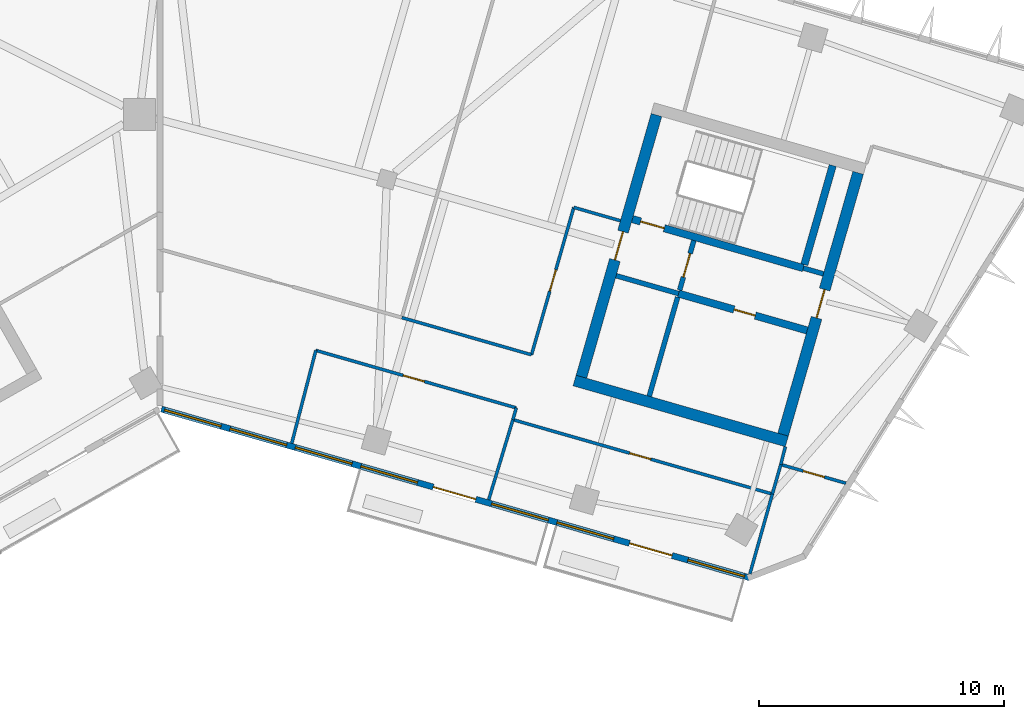
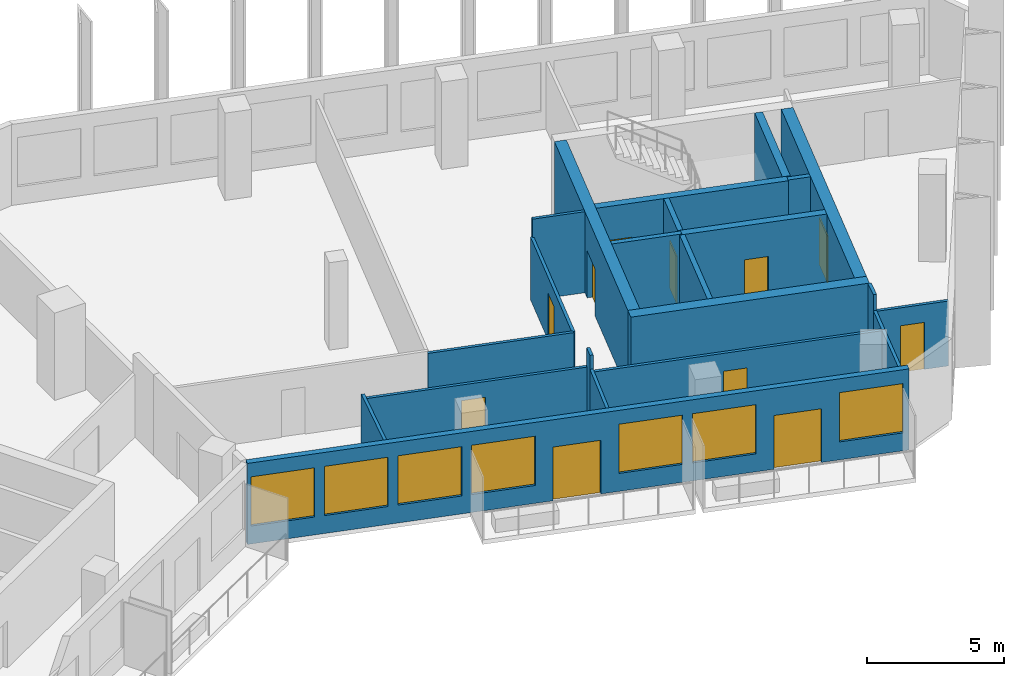
# One storey, part 7 of 12: 23 walls, 11 doors, 7 windows, 18 openings.
"""IFC4 building model written with IfcOpenShell, lengths in metres."""

from ifc_helpers import new_model, si_unit, direction, frame, frame_2d, origin, place, context, subcontext, project, spatial, rectangle, extrude, material, layer, layer_set, type_object, element, fill, save


model = new_model("IFC4")

# Units and contexts
model_context = context("Model", 3, precision=1e-05, world=origin(), true_north=direction((0.0, 1.0)))
body_context = subcontext(model_context, "Body", "Model", "MODEL_VIEW")
ifc_project = project(units=[si_unit("LENGTHUNIT", "METRE"), si_unit("AREAUNIT", "SQUARE_METRE"), si_unit("VOLUMEUNIT", "CUBIC_METRE"), si_unit("PLANEANGLEUNIT", "RADIAN"), si_unit("MASSUNIT", "GRAM", prefix="KILO")], contexts=[model_context])

# Site, building, storey
site_placement = place(None, origin())
site = spatial("IfcSite", under=ifc_project, at=site_placement, CompositionType="ELEMENT")
building_placement = place(site_placement, origin())
building = spatial("IfcBuilding", under=site, at=building_placement, Name="Binnacle Exchange Tower", CompositionType="ELEMENT")
storey_placement = place(building_placement, frame((0.0, 0.0, 246.5)))
storey = spatial("IfcBuildingStorey", under=building, at=storey_placement, Name="L54", CompositionType="ELEMENT", Elevation=246.5)

# Wall, opening, door
ifc_material_1 = material(Name="Concrete C70/85", Category="concrete")
ifc_layer_1 = layer(ifc_material_1, 0.300048828125)
ifc_layer_set_1 = layer_set([ifc_layer_1], Name="Core wall - front 300")
wall_type_1 = type_object("IfcWallType", Name="Core wall - front 300", PredefinedType="SOLIDWALL", material=ifc_layer_set_1)
wall_1_placement = place(storey_placement, frame((21.130859375, 52.6923828125, 0.0), z_axis=(0.0, 0.0, 1.0), x_axis=(0.961261488075, -0.275638080722, 0.0)))
wall_1 = element("IfcWall", 1, at=wall_1_placement, inside=storey, type_object=wall_type_1, Name="Core wall CRWD3", PredefinedType="SOLIDWALL", context=body_context, shape_type="SweptSolid", body=[
    extrude(rectangle(XDim=5.449951171875, YDim=0.300048828125, at=frame_2d((2.72509765625, 0.0))), origin(), (0.0, 0.0, 1.0), 3.6201171875),
])
opening_1_placement = place(wall_1_placement, frame((2.35009765625, 0.0, 0.0)))
opening_1 = element("IfcOpeningElement", 2, at=opening_1_placement, cuts=wall_1, Name="Opening DD10", PredefinedType="OPENING", context=body_context, shape_type="SweptSolid", body=[
    extrude(rectangle(XDim=0.89990234375, YDim=2.10009765625, at=frame_2d((0.449951171875, 1.050048828125))), frame((0.0, 0.159912109375, 0.0), z_axis=(0.0, -1.0, 0.0), x_axis=(1.0, 0.0, 0.0)), (0.0, 0.0, 1.0), 0.320068359375),
])
ifc_material_2 = material(Name="Steel door leaf", Category="steel")
door_type_1 = type_object("IfcDoorType", Name="Fire door 900", OperationType="NOTDEFINED", PredefinedType="DOOR", material=ifc_material_2)
door_1_placement = place(opening_1_placement, frame((0.89990234375, 0.0, 0.0), z_axis=(0.0, 0.0, 1.0), x_axis=(-1.0, 0.0, 0.0)))
door_1 = element("IfcDoor", 3, at=door_1_placement, inside=storey, type_object=door_type_1, Name="Core room door TELECOM RISER ROOM", OperationType="SINGLE_SWING_LEFT", OverallHeight=2.10009765625, OverallWidth=0.89990234375, PredefinedType="DOOR", context=body_context, shape_type="SweptSolid", body=[
    extrude(rectangle(XDim=0.89990234375, YDim=2.10009765625, at=frame_2d((0.449951171875, 1.050048828125))), frame((0.0, 0.02490234375, 0.0), z_axis=(0.0, -1.0, 0.0), x_axis=(1.0, 0.0, 0.0)), (0.0, 0.0, 1.0), 0.050048828125),
])
fill(opening_1, door_1)

# Wall
ifc_layer_2 = layer(ifc_material_1, 0.449951171875)
ifc_layer_set_2 = layer_set([ifc_layer_2], Name="Core wall - outer 450")
wall_type_2 = type_object("IfcWallType", Name="Core wall - outer 450", PredefinedType="SOLIDWALL", material=ifc_layer_set_2)
wall_2_placement = place(storey_placement, frame((16.889892578125, 49.149169921875, 0.0), z_axis=(0.0, 0.0, 1.0), x_axis=(0.96126248289, -0.275634611374, 0.0)))
element("IfcWall", 4, at=wall_2_placement, inside=storey, type_object=wall_type_2, Name="Core wall CRWD1", PredefinedType="SOLIDWALL", context=body_context, shape_type="SweptSolid", body=[
    extrude(rectangle(XDim=9.0, YDim=0.449951171875, at=frame_2d((4.5, 0.0))), origin(), (0.0, 0.0, 1.0), 3.6201171875),
])

# Wall, opening, door
wall_3_placement = place(storey_placement, frame((17.168212890625, 49.303466796875, 0.0), z_axis=(0.0, 0.0, 1.0), x_axis=(0.275638974822, 0.961261231695, 0.0)))
wall_3 = element("IfcWall", 5, at=wall_3_placement, inside=storey, type_object=wall_type_2, Name="Core wall CRWD7", PredefinedType="SOLIDWALL", context=body_context, shape_type="SweptSolid", body=[
    extrude(rectangle(XDim=11.099853515625, YDim=0.449951171875, at=frame_2d((5.5498046875, 0.0))), origin(), (0.0, 0.0, 1.0), 3.6201171875),
])
opening_2_placement = place(wall_3_placement, frame((4.9501953125, 0.0, 0.0)))
opening_2 = element("IfcOpeningElement", 6, at=opening_2_placement, cuts=wall_3, Name="Opening DD5", PredefinedType="OPENING", context=body_context, shape_type="SweptSolid", body=[
    extrude(rectangle(XDim=1.199951171875, YDim=2.10009765625, at=frame_2d((0.60009765625, 1.050048828125))), frame((0.0, 0.23486328125, 0.0), z_axis=(0.0, -1.0, 0.0), x_axis=(1.0, 0.0, 0.0)), (0.0, 0.0, 1.0), 0.469970703125),
])
door_type_2 = type_object("IfcDoorType", Name="Fire door 1200", OperationType="NOTDEFINED", PredefinedType="DOOR", material=ifc_material_2)
door_2_placement = place(opening_2_placement, origin())
door_2 = element("IfcDoor", 7, at=door_2_placement, inside=storey, type_object=door_type_2, Name="Vestibule exit door VEST-W", OperationType="SINGLE_SWING_RIGHT", OverallHeight=2.10009765625, OverallWidth=1.199951171875, PredefinedType="DOOR", context=body_context, shape_type="SweptSolid", body=[
    extrude(rectangle(XDim=1.199951171875, YDim=2.10009765625, at=frame_2d((0.60009765625, 1.050048828125))), frame((0.0, 0.02490234375, 0.0), z_axis=(0.0, -1.0, 0.0), x_axis=(1.0, 0.0, 0.0)), (0.0, 0.0, 1.0), 0.050048828125),
])
fill(opening_2, door_2)

wall_4_placement = place(storey_placement, frame((25.386962890625, 46.94677734375, 0.0), z_axis=(0.0, 0.0, 1.0), x_axis=(0.275638974822, 0.961261231695, 0.0)))
wall_4 = element("IfcWall", 8, at=wall_4_placement, inside=storey, type_object=wall_type_2, Name="Core wall CRWD12", PredefinedType="SOLIDWALL", context=body_context, shape_type="SweptSolid", body=[
    extrude(rectangle(XDim=11.099853515625, YDim=0.449951171875, at=frame_2d((5.5498046875, 0.0))), origin(), (0.0, 0.0, 1.0), 3.6201171875),
])
opening_3_placement = place(wall_4_placement, frame((4.949951171875, 0.0, 0.0)))
opening_3 = element("IfcOpeningElement", 9, at=opening_3_placement, cuts=wall_4, Name="Opening DD6", PredefinedType="OPENING", context=body_context, shape_type="SweptSolid", body=[
    extrude(rectangle(XDim=1.199951171875, YDim=2.10009765625, at=frame_2d((0.60009765625, 1.050048828125))), frame((0.0, 0.23486328125, 0.0), z_axis=(0.0, -1.0, 0.0), x_axis=(1.0, 0.0, 0.0)), (0.0, 0.0, 1.0), 0.469970703125),
])
door_3_placement = place(opening_3_placement, frame((1.199951171875, 0.0, 0.0), z_axis=(0.0, 0.0, 1.0), x_axis=(-1.0, 0.0, 0.0)))
door_3 = element("IfcDoor", 10, at=door_3_placement, inside=storey, type_object=door_type_2, Name="Core passage exit door", OperationType="SINGLE_SWING_RIGHT", OverallHeight=2.10009765625, OverallWidth=1.199951171875, PredefinedType="DOOR", context=body_context, shape_type="SweptSolid", body=[
    extrude(rectangle(XDim=1.199951171875, YDim=2.10009765625, at=frame_2d((0.60009765625, 1.050048828125))), frame((0.0, 0.02490234375, 0.0), z_axis=(0.0, -1.0, 0.0), x_axis=(1.0, 0.0, 0.0)), (0.0, 0.0, 1.0), 0.050048828125),
])
fill(opening_3, door_3)

ifc_layer_3 = layer(ifc_material_1, 0.300048828125)
ifc_layer_set_3 = layer_set([ifc_layer_3], Name="Core wall - stair 300")
wall_type_3 = type_object("IfcWallType", Name="Core wall - stair 300", PredefinedType="SOLIDWALL", material=ifc_layer_set_3)
wall_5_placement = place(storey_placement, frame((19.2451171875, 55.72998046875, 0.0), z_axis=(0.0, 0.0, 1.0), x_axis=(0.961263007877, -0.275632780503, 0.0)))
wall_5 = element("IfcWall", 11, at=wall_5_placement, inside=storey, type_object=wall_type_3, Name="Core wall CRWD4", PredefinedType="SOLIDWALL", context=body_context, shape_type="SweptSolid", body=[
    extrude(rectangle(XDim=7.249755859375, YDim=0.300048828125, at=frame_2d((3.625, 0.0))), origin(), (0.0, 0.0, 1.0), 3.6201171875),
])
opening_4_placement = place(wall_5_placement, frame((0.35009765625, 0.0, 0.0)))
opening_4 = element("IfcOpeningElement", 12, at=opening_4_placement, cuts=wall_5, Name="Opening DD1", PredefinedType="OPENING", context=body_context, shape_type="SweptSolid", body=[
    extrude(rectangle(XDim=1.0, YDim=2.10009765625, at=frame_2d((0.5, 1.050048828125))), frame((0.0, 0.159912109375, 0.0), z_axis=(0.0, -1.0, 0.0), x_axis=(1.0, 0.0, 0.0)), (0.0, 0.0, 1.0), 0.320068359375),
])
door_type_3 = type_object("IfcDoorType", Name="Fire door 1000", OperationType="NOTDEFINED", PredefinedType="DOOR", material=ifc_material_2)
door_4_placement = place(opening_4_placement, origin())
door_4 = element("IfcDoor", 13, at=door_4_placement, inside=storey, type_object=door_type_3, Name="Stair door ST-D1", OperationType="SINGLE_SWING_LEFT", OverallHeight=2.10009765625, OverallWidth=1.0, PredefinedType="DOOR", context=body_context, shape_type="SweptSolid", body=[
    extrude(rectangle(XDim=1.0, YDim=2.10009765625, at=frame_2d((0.5, 1.050048828125))), frame((0.0, 0.02490234375, 0.0), z_axis=(0.0, -1.0, 0.0), x_axis=(1.0, 0.0, 0.0)), (0.0, 0.0, 1.0), 0.050048828125),
])
fill(opening_4, door_4)

# Wall
wall_6_placement = place(storey_placement, frame((26.255615234375, 53.875732421875, 0.0), z_axis=(0.0, 0.0, 1.0), x_axis=(0.275588560745, 0.96127568636, 0.0)))
element("IfcWall", 14, at=wall_6_placement, inside=storey, type_object=wall_type_3, Name="Core wall CRWD11", PredefinedType="SOLIDWALL", context=body_context, shape_type="SweptSolid", body=[
    extrude(rectangle(XDim=4.199951171875, YDim=0.300048828125, at=frame_2d((2.10009765625, 0.0))), origin(), (0.0, 0.0, 1.0), 3.6201171875),
])

# Wall, openings, doors, windows
ifc_material_3 = material(Name="Bronze aluminium cladding", Category="aluminium")
ifc_layer_4 = layer(ifc_material_3, 0.25)
ifc_layer_set_4 = layer_set([ifc_layer_4], Name="External wall - window wall 250")
wall_type_4 = type_object("IfcWallType", Name="External wall - window wall 250", PredefinedType="STANDARD", material=ifc_layer_set_4)
wall_7_placement = place(storey_placement, frame((24.034423828125, 41.108154296875, 0.0), z_axis=(0.0, 0.0, 1.0), x_axis=(-0.96126060691, 0.275641153683, 0.0)))
wall_7 = element("IfcWall", 15, at=wall_7_placement, inside=storey, type_object=wall_type_4, Name="External wall EW-G02 L54", PredefinedType="STANDARD", context=body_context, shape_type="SweptSolid", body=[
    extrude(rectangle(XDim=24.95068359375, YDim=0.25, at=frame_2d((12.475341796875, 0.0))), origin(), (0.0, 0.0, 1.0), 3.6201171875),
])
opening_5_placement = place(wall_7_placement, frame((22.416259765625, 0.0, 0.800048828125)))
opening_5 = element("IfcOpeningElement", 16, at=opening_5_placement, cuts=wall_7, Name="Opening WR1", PredefinedType="OPENING", context=body_context, shape_type="SweptSolid", body=[
    extrude(rectangle(XDim=2.39990234375, YDim=2.199951171875, at=frame_2d((1.199951171875, 1.10009765625))), frame((0.0, 0.135009765625, 0.0), z_axis=(0.0, -1.0, 0.0), x_axis=(1.0, 0.0, 0.0)), (0.0, 0.0, 1.0), 0.27001953125),
])
opening_6_placement = place(wall_7_placement, frame((19.642822265625, 0.0, 0.800048828125)))
opening_6 = element("IfcOpeningElement", 17, at=opening_6_placement, cuts=wall_7, Name="Opening WR1", PredefinedType="OPENING", context=body_context, shape_type="SweptSolid", body=[
    extrude(rectangle(XDim=2.39990234375, YDim=2.199951171875, at=frame_2d((1.199951171875, 1.10009765625))), frame((0.0, 0.135009765625, 0.0), z_axis=(0.0, -1.0, 0.0), x_axis=(1.0, 0.0, 0.0)), (0.0, 0.0, 1.0), 0.27001953125),
])
opening_7_placement = place(wall_7_placement, frame((16.869384765625, 0.0, 0.800048828125)))
opening_7 = element("IfcOpeningElement", 18, at=opening_7_placement, cuts=wall_7, Name="Opening WR1", PredefinedType="OPENING", context=body_context, shape_type="SweptSolid", body=[
    extrude(rectangle(XDim=2.39990234375, YDim=2.199951171875, at=frame_2d((1.199951171875, 1.10009765625))), frame((0.0, 0.135009765625, 0.0), z_axis=(0.0, -1.0, 0.0), x_axis=(1.0, 0.0, 0.0)), (0.0, 0.0, 1.0), 0.27001953125),
])
opening_8_placement = place(wall_7_placement, frame((14.095947265625, 0.0, 0.800048828125)))
opening_8 = element("IfcOpeningElement", 19, at=opening_8_placement, cuts=wall_7, Name="Opening WR1", PredefinedType="OPENING", context=body_context, shape_type="SweptSolid", body=[
    extrude(rectangle(XDim=2.39990234375, YDim=2.199951171875, at=frame_2d((1.199951171875, 1.10009765625))), frame((0.0, 0.135009765625, 0.0), z_axis=(0.0, -1.0, 0.0), x_axis=(1.0, 0.0, 0.0)), (0.0, 0.0, 1.0), 0.27001953125),
])
opening_9_placement = place(wall_7_placement, frame((11.622314453125, 0.0, 0.0)))
opening_9 = element("IfcOpeningElement", 20, at=opening_9_placement, cuts=wall_7, Name="Opening D-FS15-06", PredefinedType="OPENING", context=body_context, shape_type="SweptSolid", body=[
    extrude(rectangle(XDim=1.800048828125, YDim=2.39990234375, at=frame_2d((0.89990234375, 1.199951171875))), frame((0.0, 0.135009765625, 0.0), z_axis=(0.0, -1.0, 0.0), x_axis=(1.0, 0.0, 0.0)), (0.0, 0.0, 1.0), 0.27001953125),
])
opening_10_placement = place(wall_7_placement, frame((8.548828125, 0.0, 0.800048828125)))
opening_10 = element("IfcOpeningElement", 21, at=opening_10_placement, cuts=wall_7, Name="Opening WR1", PredefinedType="OPENING", context=body_context, shape_type="SweptSolid", body=[
    extrude(rectangle(XDim=2.39990234375, YDim=2.199951171875, at=frame_2d((1.199951171875, 1.10009765625))), frame((0.0, 0.135009765625, 0.0), z_axis=(0.0, -1.0, 0.0), x_axis=(1.0, 0.0, 0.0)), (0.0, 0.0, 1.0), 0.27001953125),
])
opening_11_placement = place(wall_7_placement, frame((5.775390625, 0.0, 0.800048828125)))
opening_11 = element("IfcOpeningElement", 22, at=opening_11_placement, cuts=wall_7, Name="Opening WR1", PredefinedType="OPENING", context=body_context, shape_type="SweptSolid", body=[
    extrude(rectangle(XDim=2.39990234375, YDim=2.199951171875, at=frame_2d((1.199951171875, 1.10009765625))), frame((0.0, 0.135009765625, 0.0), z_axis=(0.0, -1.0, 0.0), x_axis=(1.0, 0.0, 0.0)), (0.0, 0.0, 1.0), 0.27001953125),
])
opening_12_placement = place(wall_7_placement, frame((3.302001953125, 0.0, 0.0)))
opening_12 = element("IfcOpeningElement", 23, at=opening_12_placement, cuts=wall_7, Name="Opening D-FS15-07", PredefinedType="OPENING", context=body_context, shape_type="SweptSolid", body=[
    extrude(rectangle(XDim=1.800048828125, YDim=2.39990234375, at=frame_2d((0.89990234375, 1.199951171875))), frame((0.0, 0.135009765625, 0.0), z_axis=(0.0, -1.0, 0.0), x_axis=(1.0, 0.0, 0.0)), (0.0, 0.0, 1.0), 0.27001953125),
])
opening_13_placement = place(wall_7_placement, frame((0.228515625, 0.0, 0.800048828125)))
opening_13 = element("IfcOpeningElement", 24, at=opening_13_placement, cuts=wall_7, Name="Opening WR1", PredefinedType="OPENING", context=body_context, shape_type="SweptSolid", body=[
    extrude(rectangle(XDim=2.39990234375, YDim=2.199951171875, at=frame_2d((1.199951171875, 1.10009765625))), frame((0.0, 0.135009765625, 0.0), z_axis=(0.0, -1.0, 0.0), x_axis=(1.0, 0.0, 0.0)), (0.0, 0.0, 1.0), 0.27001953125),
])
ifc_material_4 = material(Name="Bronze anodised aluminium frame", Category="aluminium")
door_type_4 = type_object("IfcDoorType", Name="DB DOOR 1800x2400", OperationType="DOUBLE_DOOR_SINGLE_SWING", PredefinedType="DOOR", material=ifc_material_4)
door_5_placement = place(opening_9_placement, origin())
door_5 = element("IfcDoor", 25, at=door_5_placement, inside=storey, type_object=door_type_4, Name="Door D-FS15-06 L54", OperationType="DOUBLE_DOOR_SINGLE_SWING", OverallHeight=2.39990234375, OverallWidth=1.800048828125, PredefinedType="DOOR", context=body_context, shape_type="SweptSolid", body=[
    extrude(rectangle(XDim=1.800048828125, YDim=2.39990234375, at=frame_2d((0.89990234375, 1.199951171875))), frame((0.0, 0.02490234375, 0.0), z_axis=(0.0, -1.0, 0.0), x_axis=(1.0, 0.0, 0.0)), (0.0, 0.0, 1.0), 0.050048828125),
])
fill(opening_9, door_5)
door_6_placement = place(opening_12_placement, origin())
door_6 = element("IfcDoor", 26, at=door_6_placement, inside=storey, type_object=door_type_4, Name="Door D-FS15-07 L54", OperationType="DOUBLE_DOOR_SINGLE_SWING", OverallHeight=2.39990234375, OverallWidth=1.800048828125, PredefinedType="DOOR", context=body_context, shape_type="SweptSolid", body=[
    extrude(rectangle(XDim=1.800048828125, YDim=2.39990234375, at=frame_2d((0.89990234375, 1.199951171875))), frame((0.0, 0.02490234375, 0.0), z_axis=(0.0, -1.0, 0.0), x_axis=(1.0, 0.0, 0.0)), (0.0, 0.0, 1.0), 0.050048828125),
])
fill(opening_12, door_6)
window_type = type_object("IfcWindowType", Name="WR1 WINDOW 2400x2200", PartitioningType="SINGLE_PANEL", PredefinedType="WINDOW", material=ifc_material_4)
window_1_placement = place(opening_5_placement, origin())
window_1 = element("IfcWindow", 27, at=window_1_placement, inside=storey, type_object=window_type, Name="Window WR1 L54", OverallHeight=2.199951171875, OverallWidth=2.39990234375, PartitioningType="SINGLE_PANEL", PredefinedType="WINDOW", context=body_context, shape_type="SweptSolid", body=[
    extrude(rectangle(XDim=2.39990234375, YDim=2.199951171875, at=frame_2d((1.199951171875, 1.10009765625))), frame((0.0, 0.030029296875, 0.0), z_axis=(0.0, -1.0, 0.0), x_axis=(1.0, 0.0, 0.0)), (0.0, 0.0, 1.0), 0.06005859375),
])
fill(opening_5, window_1)
window_2_placement = place(opening_6_placement, origin())
window_2 = element("IfcWindow", 28, at=window_2_placement, inside=storey, type_object=window_type, Name="Window WR1 L54", OverallHeight=2.199951171875, OverallWidth=2.39990234375, PartitioningType="SINGLE_PANEL", PredefinedType="WINDOW", context=body_context, shape_type="SweptSolid", body=[
    extrude(rectangle(XDim=2.39990234375, YDim=2.199951171875, at=frame_2d((1.199951171875, 1.10009765625))), frame((0.0, 0.030029296875, 0.0), z_axis=(0.0, -1.0, 0.0), x_axis=(1.0, 0.0, 0.0)), (0.0, 0.0, 1.0), 0.06005859375),
])
fill(opening_6, window_2)
window_3_placement = place(opening_7_placement, origin())
window_3 = element("IfcWindow", 29, at=window_3_placement, inside=storey, type_object=window_type, Name="Window WR1 L54", OverallHeight=2.199951171875, OverallWidth=2.39990234375, PartitioningType="SINGLE_PANEL", PredefinedType="WINDOW", context=body_context, shape_type="SweptSolid", body=[
    extrude(rectangle(XDim=2.39990234375, YDim=2.199951171875, at=frame_2d((1.199951171875, 1.10009765625))), frame((0.0, 0.030029296875, 0.0), z_axis=(0.0, -1.0, 0.0), x_axis=(1.0, 0.0, 0.0)), (0.0, 0.0, 1.0), 0.06005859375),
])
fill(opening_7, window_3)
window_4_placement = place(opening_8_placement, origin())
window_4 = element("IfcWindow", 30, at=window_4_placement, inside=storey, type_object=window_type, Name="Window WR1 L54", OverallHeight=2.199951171875, OverallWidth=2.39990234375, PartitioningType="SINGLE_PANEL", PredefinedType="WINDOW", context=body_context, shape_type="SweptSolid", body=[
    extrude(rectangle(XDim=2.39990234375, YDim=2.199951171875, at=frame_2d((1.199951171875, 1.10009765625))), frame((0.0, 0.030029296875, 0.0), z_axis=(0.0, -1.0, 0.0), x_axis=(1.0, 0.0, 0.0)), (0.0, 0.0, 1.0), 0.06005859375),
])
fill(opening_8, window_4)
window_5_placement = place(opening_10_placement, origin())
window_5 = element("IfcWindow", 31, at=window_5_placement, inside=storey, type_object=window_type, Name="Window WR1 L54", OverallHeight=2.199951171875, OverallWidth=2.39990234375, PartitioningType="SINGLE_PANEL", PredefinedType="WINDOW", context=body_context, shape_type="SweptSolid", body=[
    extrude(rectangle(XDim=2.39990234375, YDim=2.199951171875, at=frame_2d((1.199951171875, 1.10009765625))), frame((0.0, 0.030029296875, 0.0), z_axis=(0.0, -1.0, 0.0), x_axis=(1.0, 0.0, 0.0)), (0.0, 0.0, 1.0), 0.06005859375),
])
fill(opening_10, window_5)
window_6_placement = place(opening_11_placement, origin())
window_6 = element("IfcWindow", 32, at=window_6_placement, inside=storey, type_object=window_type, Name="Window WR1 L54", OverallHeight=2.199951171875, OverallWidth=2.39990234375, PartitioningType="SINGLE_PANEL", PredefinedType="WINDOW", context=body_context, shape_type="SweptSolid", body=[
    extrude(rectangle(XDim=2.39990234375, YDim=2.199951171875, at=frame_2d((1.199951171875, 1.10009765625))), frame((0.0, 0.030029296875, 0.0), z_axis=(0.0, -1.0, 0.0), x_axis=(1.0, 0.0, 0.0)), (0.0, 0.0, 1.0), 0.06005859375),
])
fill(opening_11, window_6)
window_7_placement = place(opening_13_placement, origin())
window_7 = element("IfcWindow", 33, at=window_7_placement, inside=storey, type_object=window_type, Name="Window WR1 L54", OverallHeight=2.199951171875, OverallWidth=2.39990234375, PartitioningType="SINGLE_PANEL", PredefinedType="WINDOW", context=body_context, shape_type="SweptSolid", body=[
    extrude(rectangle(XDim=2.39990234375, YDim=2.199951171875, at=frame_2d((1.199951171875, 1.10009765625))), frame((0.0, 0.030029296875, 0.0), z_axis=(0.0, -1.0, 0.0), x_axis=(1.0, 0.0, 0.0)), (0.0, 0.0, 1.0), 0.06005859375),
])
fill(opening_13, window_7)

# Wall, opening, door
ifc_material_5 = material(Name="Masonry block wall", Category="masonry")
ifc_layer_5 = layer(ifc_material_5, 0.199951171875)
ifc_layer_set_5 = layer_set([ifc_layer_5], Name="Fire wall - vestibule 200")
wall_type_5 = type_object("IfcWallType", Name="Fire wall - vestibule 200", PredefinedType="PARTITIONING", material=ifc_layer_set_5)
wall_8_placement = place(storey_placement, frame((21.172119140625, 52.836669921875, 0.0), z_axis=(0.0, 0.0, 1.0), x_axis=(0.275657676022, 0.961255868981, 0.0)))
wall_8 = element("IfcWall", 34, at=wall_8_placement, inside=storey, type_object=wall_type_5, Name="Core wall CRWD9", PredefinedType="PARTITIONING", context=body_context, shape_type="SweptSolid", body=[
    extrude(rectangle(XDim=2.099853515625, YDim=0.199951171875, at=frame_2d((1.0498046875, 0.0))), origin(), (0.0, 0.0, 1.0), 3.6201171875),
])
opening_14_placement = place(wall_8_placement, frame((0.550048828125, 0.0, 0.0)))
opening_14 = element("IfcOpeningElement", 35, at=opening_14_placement, cuts=wall_8, Name="Opening DD3", PredefinedType="OPENING", context=body_context, shape_type="SweptSolid", body=[
    extrude(rectangle(XDim=1.0, YDim=2.10009765625, at=frame_2d((0.5, 1.050048828125))), frame((0.0, 0.10986328125, 0.0), z_axis=(0.0, -1.0, 0.0), x_axis=(1.0, 0.0, 0.0)), (0.0, 0.0, 1.0), 0.219970703125),
])
door_7_placement = place(opening_14_placement, origin())
door_7 = element("IfcDoor", 36, at=door_7_placement, inside=storey, type_object=door_type_3, Name="Vestibule door VEST-W", OperationType="SINGLE_SWING_RIGHT", OverallHeight=2.10009765625, OverallWidth=1.0, PredefinedType="DOOR", context=body_context, shape_type="SweptSolid", body=[
    extrude(rectangle(XDim=1.0, YDim=2.10009765625, at=frame_2d((0.5, 1.050048828125))), frame((0.0, 0.02490234375, 0.0), z_axis=(0.0, -1.0, 0.0), x_axis=(1.0, 0.0, 0.0)), (0.0, 0.0, 1.0), 0.050048828125),
])
fill(opening_14, door_7)

# Wall
ifc_material_6 = material(Name="Gypsum partition")
ifc_layer_6 = layer(ifc_material_6, 0.125)
ifc_layer_set_6 = layer_set([ifc_layer_6], Name="Partition 125")
wall_type_6 = type_object("IfcWallType", Name="Partition 125", PredefinedType="PARTITIONING", material=ifc_layer_set_6)
wall_9_placement = place(storey_placement, frame((5.363037109375, 46.592041015625, 0.0), z_axis=(0.0, 0.0, 1.0), x_axis=(0.250765055388, 0.968047977631, 0.0)))
element("IfcWall", 37, at=wall_9_placement, inside=storey, type_object=wall_type_6, Name="Partition W21", PredefinedType="PARTITIONING", context=body_context, shape_type="SweptSolid", body=[
    extrude(rectangle(XDim=3.911865234375, YDim=0.125, at=frame_2d((1.9560546875, 0.0))), origin(), (0.0, 0.0, 1.0), 2.988037109375),
])

# Wall, opening, door
wall_10_placement = place(storey_placement, frame((6.343994140625, 50.37890625, 0.0), z_axis=(0.0, 0.0, 1.0), x_axis=(0.961251402136, -0.275673252041, 0.0)))
wall_10 = element("IfcWall", 38, at=wall_10_placement, inside=storey, type_object=wall_type_6, Name="Partition W22", PredefinedType="PARTITIONING", context=body_context, shape_type="SweptSolid", body=[
    extrude(rectangle(XDim=8.499267578125, YDim=0.125, at=frame_2d((4.24951171875, 0.0))), origin(), (0.0, 0.0, 1.0), 2.800048828125),
])
opening_15_placement = place(wall_10_placement, frame((3.699951171875, 0.0, 0.0)))
opening_15 = element("IfcOpeningElement", 39, at=opening_15_placement, cuts=wall_10, Name="Opening DL52-08", PredefinedType="OPENING", context=body_context, shape_type="SweptSolid", body=[
    extrude(rectangle(XDim=0.89990234375, YDim=2.10009765625, at=frame_2d((0.449951171875, 1.050048828125))), frame((0.0, 0.072509765625, 0.0), z_axis=(0.0, -1.0, 0.0), x_axis=(1.0, 0.0, 0.0)), (0.0, 0.0, 1.0), 0.14501953125),
])
ifc_material_7 = material(Name="Timber door leaf", Category="wood")
door_type_5 = type_object("IfcDoorType", Name="Door 900", OperationType="NOTDEFINED", PredefinedType="DOOR", material=ifc_material_7)
door_8_placement = place(opening_15_placement, frame((0.89990234375, 0.0, 0.0), z_axis=(0.0, 0.0, 1.0), x_axis=(-1.0, 0.0, 0.0)))
door_8 = element("IfcDoor", 40, at=door_8_placement, inside=storey, type_object=door_type_5, Name="Door DL52-08", OperationType="SINGLE_SWING_RIGHT", OverallHeight=2.10009765625, OverallWidth=0.89990234375, PredefinedType="DOOR", context=body_context, shape_type="SweptSolid", body=[
    extrude(rectangle(XDim=0.89990234375, YDim=2.10009765625, at=frame_2d((0.449951171875, 1.050048828125))), frame((0.0, 0.02490234375, 0.0), z_axis=(0.0, -1.0, 0.0), x_axis=(1.0, 0.0, 0.0)), (0.0, 0.0, 1.0), 0.050048828125),
])
fill(opening_15, door_8)

# Walls
wall_11_placement = place(storey_placement, frame((9.847900390625, 51.715087890625, 0.0), z_axis=(0.0, 0.0, 1.0), x_axis=(0.961258850611, -0.275647278458, 0.0)))
element("IfcWall", 41, at=wall_11_placement, inside=storey, type_object=wall_type_6, Name="Partition W24", PredefinedType="PARTITIONING", context=body_context, shape_type="SweptSolid", body=[
    extrude(rectangle(XDim=5.500244140625, YDim=0.125, at=frame_2d((2.75, 0.0))), origin(), (0.0, 0.0, 1.0), 2.800048828125),
])
wall_12_placement = place(storey_placement, frame((13.389892578125, 44.2900390625, 0.0), z_axis=(0.0, 0.0, 1.0), x_axis=(0.289389501276, 0.957211427299, 0.0)))
element("IfcWall", 42, at=wall_12_placement, inside=storey, type_object=wall_type_6, Name="Partition W25", PredefinedType="PARTITIONING", context=body_context, shape_type="SweptSolid", body=[
    extrude(rectangle(XDim=3.410888671875, YDim=0.125, at=frame_2d((1.70556640625, 0.0))), origin(), (0.0, 0.0, 1.0), 2.993896484375),
])
wall_13_placement = place(storey_placement, frame((14.376953125, 47.554931640625, 0.0), z_axis=(0.0, 0.0, 1.0), x_axis=(0.273882785402, 0.961763078861, 0.0)))
element("IfcWall", 43, at=wall_13_placement, inside=storey, type_object=wall_type_6, Name="Partition W26", PredefinedType="PARTITIONING", context=body_context, shape_type="SweptSolid", body=[
    extrude(rectangle(XDim=0.5, YDim=0.125, at=frame_2d((0.25, 0.0))), origin(), (0.0, 0.0, 1.0), 3.6201171875),
])

# Wall, opening, door
wall_14_placement = place(storey_placement, frame((14.376953125, 47.554931640625, 0.0), z_axis=(0.0, 0.0, 1.0), x_axis=(0.961263044958, -0.275632651182, 0.0)))
wall_14 = element("IfcWall", 44, at=wall_14_placement, inside=storey, type_object=wall_type_6, Name="Partition W27", PredefinedType="PARTITIONING", context=body_context, shape_type="SweptSolid", body=[
    extrude(rectangle(XDim=11.0, YDim=0.125, at=frame_2d((5.5, 0.0))), origin(), (0.0, 0.0, 1.0), 2.89990234375),
])
opening_16_placement = place(wall_14_placement, frame((4.949951171875, 0.0, 0.0)))
opening_16 = element("IfcOpeningElement", 45, at=opening_16_placement, cuts=wall_14, Name="Opening DL52-09", PredefinedType="OPENING", context=body_context, shape_type="SweptSolid", body=[
    extrude(rectangle(XDim=0.89990234375, YDim=2.10009765625, at=frame_2d((0.449951171875, 1.050048828125))), frame((0.0, 0.072509765625, 0.0), z_axis=(0.0, -1.0, 0.0), x_axis=(1.0, 0.0, 0.0)), (0.0, 0.0, 1.0), 0.14501953125),
])
door_9_placement = place(opening_16_placement, frame((0.89990234375, 0.0, 0.0), z_axis=(0.0, 0.0, 1.0), x_axis=(-1.0, 0.0, 0.0)))
door_9 = element("IfcDoor", 46, at=door_9_placement, inside=storey, type_object=door_type_5, Name="Door DL52-09", OperationType="SINGLE_SWING_RIGHT", OverallHeight=2.10009765625, OverallWidth=0.89990234375, PredefinedType="DOOR", context=body_context, shape_type="SweptSolid", body=[
    extrude(rectangle(XDim=0.89990234375, YDim=2.10009765625, at=frame_2d((0.449951171875, 1.050048828125))), frame((0.0, 0.02490234375, 0.0), z_axis=(0.0, -1.0, 0.0), x_axis=(1.0, 0.0, 0.0)), (0.0, 0.0, 1.0), 0.050048828125),
])
fill(opening_16, door_9)

wall_15_placement = place(storey_placement, frame((15.135009765625, 50.198974609375, 0.0), z_axis=(0.0, 0.0, 1.0), x_axis=(0.275551788837, 0.961286227753, 0.0)))
wall_15 = element("IfcWall", 47, at=wall_15_placement, inside=storey, type_object=wall_type_6, Name="Partition W28", PredefinedType="PARTITIONING", context=body_context, shape_type="SweptSolid", body=[
    extrude(rectangle(XDim=6.2490234375, YDim=0.125, at=frame_2d((3.12451171875, 0.0))), origin(), (0.0, 0.0, 1.0), 2.800048828125),
])
opening_17_placement = place(wall_15_placement, frame((2.699951171875, 0.0, 0.0)))
opening_17 = element("IfcOpeningElement", 48, at=opening_17_placement, cuts=wall_15, Name="Opening DL52-07", PredefinedType="OPENING", context=body_context, shape_type="SweptSolid", body=[
    extrude(rectangle(XDim=0.89990234375, YDim=2.10009765625, at=frame_2d((0.449951171875, 1.050048828125))), frame((0.0, 0.072509765625, 0.0), z_axis=(0.0, -1.0, 0.0), x_axis=(1.0, 0.0, 0.0)), (0.0, 0.0, 1.0), 0.14501953125),
])
door_10_placement = place(opening_17_placement, origin())
door_10 = element("IfcDoor", 49, at=door_10_placement, inside=storey, type_object=door_type_5, Name="Door DL52-07", OperationType="SINGLE_SWING_RIGHT", OverallHeight=2.10009765625, OverallWidth=0.89990234375, PredefinedType="DOOR", context=body_context, shape_type="SweptSolid", body=[
    extrude(rectangle(XDim=0.89990234375, YDim=2.10009765625, at=frame_2d((0.449951171875, 1.050048828125))), frame((0.0, 0.02490234375, 0.0), z_axis=(0.0, -1.0, 0.0), x_axis=(1.0, 0.0, 0.0)), (0.0, 0.0, 1.0), 0.050048828125),
])
fill(opening_17, door_10)

# Walls
wall_16_placement = place(storey_placement, frame((16.85693359375, 56.2060546875, 0.0), z_axis=(0.0, 0.0, 1.0), x_axis=(0.961383985066, -0.275210525341, 0.0)))
element("IfcWall", 50, at=wall_16_placement, inside=storey, type_object=wall_type_6, Name="Partition W29", PredefinedType="PARTITIONING", context=body_context, shape_type="SweptSolid", body=[
    extrude(rectangle(XDim=1.9765625, YDim=0.125, at=frame_2d((0.98828125, 0.0))), origin(), (0.0, 0.0, 1.0), 3.6201171875),
])
wall_17_placement = place(storey_placement, frame((24.035888671875, 41.27001953125, 0.0), z_axis=(0.0, 0.0, 1.0), x_axis=(0.270787421954, 0.962639170256, 0.0)))
element("IfcWall", 51, at=wall_17_placement, inside=storey, type_object=wall_type_6, Name="Partition W31", PredefinedType="PARTITIONING", context=body_context, shape_type="SweptSolid", body=[
    extrude(rectangle(XDim=3.379150390625, YDim=0.125, at=frame_2d((1.689453125, 0.0))), origin(), (0.0, 0.0, 1.0), 2.89990234375),
])
wall_18_placement = place(storey_placement, frame((24.950927734375, 44.52294921875, 0.0), z_axis=(0.0, 0.0, 1.0), x_axis=(0.27510792265, 0.961413350695, 0.0)))
element("IfcWall", 52, at=wall_18_placement, inside=storey, type_object=wall_type_6, Name="Partition W32", PredefinedType="PARTITIONING", context=body_context, shape_type="SweptSolid", body=[
    extrude(rectangle(XDim=1.25048828125, YDim=0.125, at=frame_2d((0.625244140625, 0.0))), origin(), (0.0, 0.0, 1.0), 2.89990234375),
])
wall_19_placement = place(storey_placement, frame((25.294921875, 45.72509765625, 0.0), z_axis=(0.0, 0.0, 1.0), x_axis=(0.245522578998, 0.96939087225, 0.0)))
element("IfcWall", 53, at=wall_19_placement, inside=storey, type_object=wall_type_6, Name="Partition W33", PredefinedType="PARTITIONING", context=body_context, shape_type="SweptSolid", body=[
    extrude(rectangle(XDim=0.749755859375, YDim=0.125, at=frame_2d((0.375, 0.0))), origin(), (0.0, 0.0, 1.0), 3.6201171875),
])

# Wall, opening, door
wall_20_placement = place(storey_placement, frame((25.294921875, 45.72509765625, 0.0), z_axis=(0.0, 0.0, 1.0), x_axis=(0.961266594526, -0.275620271837, 0.0)))
wall_20 = element("IfcWall", 54, at=wall_20_placement, inside=storey, type_object=wall_type_6, Name="Partition W34", PredefinedType="PARTITIONING", context=body_context, shape_type="SweptSolid", body=[
    extrude(rectangle(XDim=2.760986328125, YDim=0.125, at=frame_2d((1.38037109375, 0.0))), origin(), (0.0, 0.0, 1.0), 2.89990234375),
])
opening_18_placement = place(wall_20_placement, frame((0.949951171875, 0.0, 0.0)))
opening_18 = element("IfcOpeningElement", 55, at=opening_18_placement, cuts=wall_20, Name="Opening DL52-11", PredefinedType="OPENING", context=body_context, shape_type="SweptSolid", body=[
    extrude(rectangle(XDim=0.89990234375, YDim=2.10009765625, at=frame_2d((0.449951171875, 1.050048828125))), frame((0.0, 0.072509765625, 0.0), z_axis=(0.0, -1.0, 0.0), x_axis=(1.0, 0.0, 0.0)), (0.0, 0.0, 1.0), 0.14501953125),
])
door_11_placement = place(opening_18_placement, frame((0.89990234375, 0.0, 0.0), z_axis=(0.0, 0.0, 1.0), x_axis=(-1.0, 0.0, 0.0)))
door_11 = element("IfcDoor", 56, at=door_11_placement, inside=storey, type_object=door_type_5, Name="Door DL52-11", OperationType="SINGLE_SWING_LEFT", OverallHeight=2.10009765625, OverallWidth=0.89990234375, PredefinedType="DOOR", context=body_context, shape_type="SweptSolid", body=[
    extrude(rectangle(XDim=0.89990234375, YDim=2.10009765625, at=frame_2d((0.449951171875, 1.050048828125))), frame((0.0, 0.02490234375, 0.0), z_axis=(0.0, -1.0, 0.0), x_axis=(1.0, 0.0, 0.0)), (0.0, 0.0, 1.0), 0.050048828125),
])
fill(opening_18, door_11)

# Walls
ifc_layer_7 = layer(ifc_material_5, 0.199951171875)
ifc_layer_set_7 = layer_set([ifc_layer_7], Name="Riser wall 200")
wall_type_7 = type_object("IfcWallType", Name="Riser wall 200", PredefinedType="SOLIDWALL", material=ifc_layer_set_7)
wall_21_placement = place(storey_placement, frame((18.58349609375, 53.4228515625, 0.0), z_axis=(0.0, 0.0, 1.0), x_axis=(0.961259287968, -0.275645753268, 0.0)))
element("IfcWall", 57, at=wall_21_placement, inside=storey, type_object=wall_type_7, Name="Core wall CRWD2", PredefinedType="SOLIDWALL", context=body_context, shape_type="SweptSolid", body=[
    extrude(rectangle(XDim=2.650146484375, YDim=0.199951171875, at=frame_2d((1.3251953125, 0.0))), origin(), (0.0, 0.0, 1.0), 3.6201171875),
])
wall_22_placement = place(storey_placement, frame((26.214111328125, 53.731689453125, 0.0), z_axis=(0.0, 0.0, 1.0), x_axis=(0.961241665642, -0.275707200184, 0.0)))
element("IfcWall", 58, at=wall_22_placement, inside=storey, type_object=wall_type_7, Name="Core wall CRWD5", PredefinedType="SOLIDWALL", context=body_context, shape_type="SweptSolid", body=[
    extrude(rectangle(XDim=0.85009765625, YDim=0.199951171875, at=frame_2d((0.425048828125, 0.0))), origin(), (0.0, 0.0, 1.0), 3.6201171875),
])
wall_23_placement = place(storey_placement, frame((19.931884765625, 48.510986328125, 0.0), z_axis=(0.0, 0.0, 1.0), x_axis=(0.275642273411, 0.961260285827, 0.0)))
element("IfcWall", 59, at=wall_23_placement, inside=storey, type_object=wall_type_7, Name="Core wall CRWD8", PredefinedType="SOLIDWALL", context=body_context, shape_type="SweptSolid", body=[
    extrude(rectangle(XDim=4.199951171875, YDim=0.199951171875, at=frame_2d((2.10009765625, 0.0))), origin(), (0.0, 0.0, 1.0), 3.6201171875),
])

save(model, "model.ifc")
